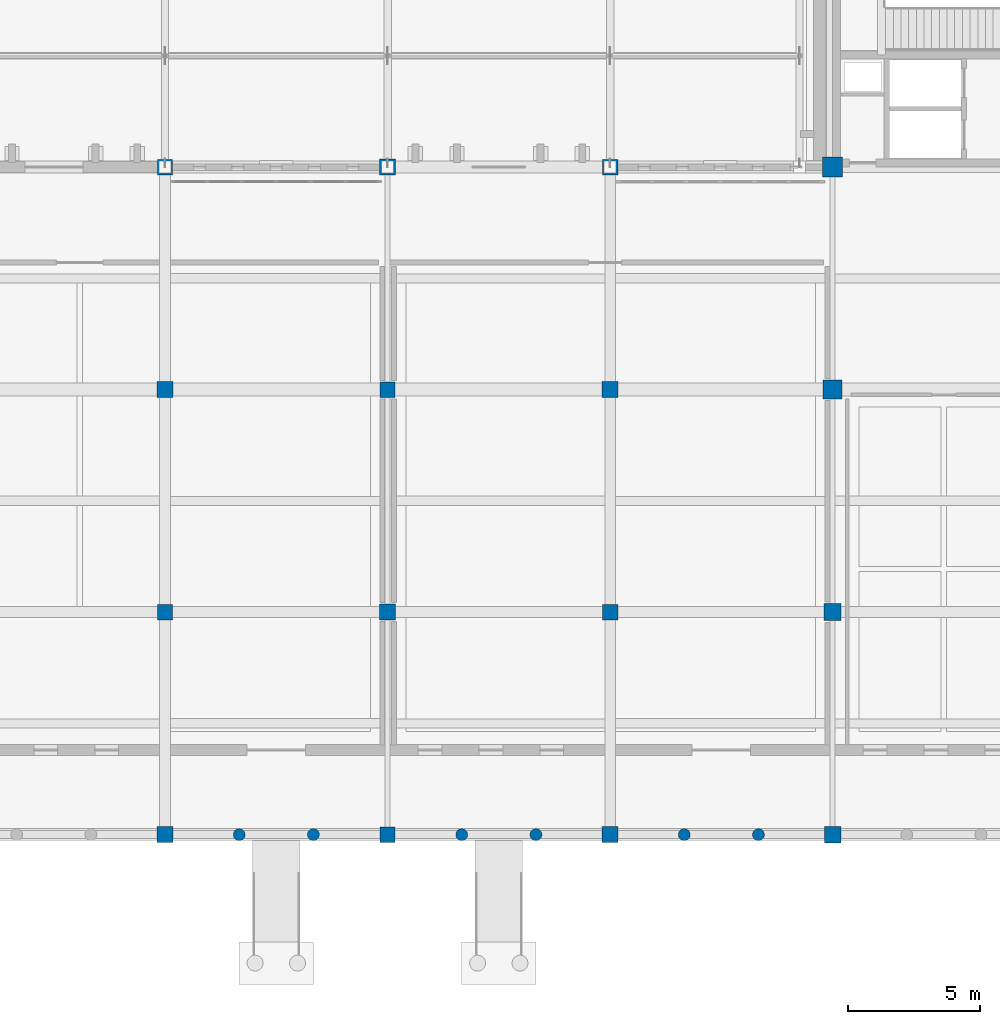
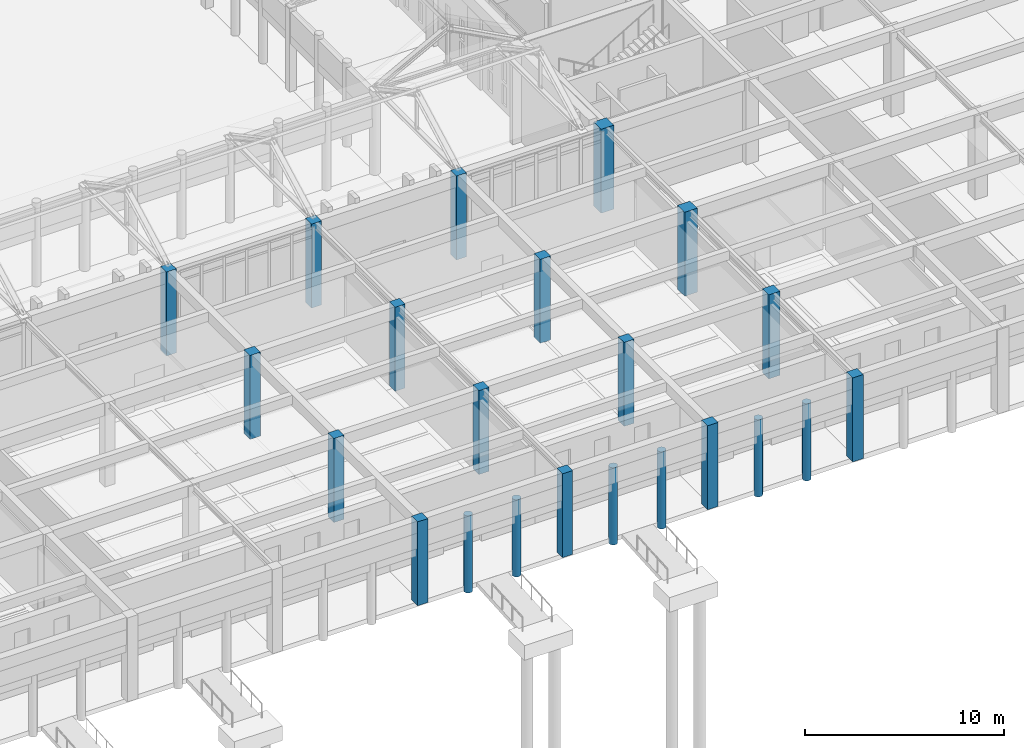
# One storey, part 13 of 143: 22 columns.
"""IFC4 building model written with IfcOpenShell, lengths in metres."""

from ifc_helpers import new_model, si_unit, direction, frame, origin, origin_2d, place, context, subcontext, project, spatial, rectangle, circle, extrude, material, material_profile, profile_set, type_object, element, save


model = new_model("IFC4")

# Units and contexts
model_context = context("Model", 3, precision=1e-05, world=origin(), true_north=direction((0.0, 1.0)))
body_context = subcontext(model_context, "Body", "Model", "MODEL_VIEW")
ifc_project = project(units=[si_unit("LENGTHUNIT", "METRE"), si_unit("AREAUNIT", "SQUARE_METRE"), si_unit("VOLUMEUNIT", "CUBIC_METRE"), si_unit("PLANEANGLEUNIT", "RADIAN"), si_unit("MASSUNIT", "GRAM", prefix="KILO")], contexts=[model_context])

# Site, building, storey
site_placement = place(None, origin())
site = spatial("IfcSite", under=ifc_project, at=site_placement, CompositionType="ELEMENT")
building_placement = place(site_placement, origin())
building = spatial("IfcBuilding", under=site, at=building_placement, Name="Kveldsbrygga Polytechnic", CompositionType="ELEMENT")
storey_placement = place(building_placement, origin())
storey = spatial("IfcBuildingStorey", under=building, at=storey_placement, Name="L00", CompositionType="ELEMENT", Elevation=0.0)

# Columns
ifc_material = material(Name="Concrete C45/55", Category="concrete")
ifc_material_profile_1 = material_profile(ifc_material, circle(Radius=0.22509765625, at=origin_2d()), Name="RC D450")
ifc_profile_set_1 = profile_set([ifc_material_profile_1], Name="Concrete C45/55")
column_type_1 = type_object("IfcColumnType", Name="COL-ARC-D450", PredefinedType="COLUMN", material=ifc_profile_set_1)
for number, where, z_axis, x_axis, name in (
    (1, (103.60009765625, 0.0, -0.320068359375), (0.0, 0.0, 1.0), (1.0, 0.0, 0.0), "Cloister Arcade Pier COL-ARC-025"),
    (2, (106.39990234375, 0.0, -0.320068359375), (0.0, 0.0, 1.0), (1.0, 0.0, 0.0), "Cloister Arcade Pier COL-ARC-026"),
    (3, (112.0, 0.0, -0.320068359375), (0.0, 0.0, 1.0), (1.0, 0.0, 0.0), "Cloister Arcade Pier COL-ARC-027"),
    (4, (114.800048828125, 0.0, -0.320068359375), (0.0, 0.0, 1.0), (1.0, 0.0, 0.0), "Cloister Arcade Pier COL-ARC-028"),
    (5, (120.39990234375, 0.0, -0.320068359375), (0.0, 0.0, 1.0), (1.0, 0.0, 0.0), "Cloister Arcade Pier COL-ARC-029"),
    (6, (123.199951171875, 0.0, -0.320068359375), (0.0, 0.0, 1.0), (1.0, 0.0, 0.0), "Cloister Arcade Pier COL-ARC-030"),
):
    element("IfcColumn", number, at=place(storey_placement, frame(where, z_axis=z_axis, x_axis=x_axis)), inside=storey, type_object=column_type_1, Name=name, PredefinedType="COLUMN", context=body_context, shape_type="SweptSolid", body=[
        extrude(circle(Radius=0.22509765625, at=origin_2d()), origin(), (0.0, 0.0, 1.0), 4.719970703125),
    ])
ifc_material_profile_2 = material_profile(ifc_material, rectangle(XDim=0.580078125, YDim=0.580078125, at=origin_2d()), Name="RC 580x580")
ifc_profile_set_2 = profile_set([ifc_material_profile_2], Name="Concrete C45/55")
column_type_2 = type_object("IfcColumnType", Name="COL-RC-580", PredefinedType="COLUMN", material=ifc_profile_set_2)
for number, where, z_axis, x_axis, name in (
    (7, (100.800048828125, 8.39990234375, 0.0), (0.0, 0.0, 1.0), (1.0, 0.0, 0.0), "Column COL-L00-12-01"),
    (8, (100.800048828125, 25.199951171875, 0.0), (0.0, 0.0, 1.0), (1.0, 0.0, 0.0), "Column COL-L00-12-03"),
    (9, (109.199951171875, 0.0, 0.0), (0.0, 0.0, 1.0), (1.0, 0.0, 0.0), "Column COL-L00-13-00"),
    (10, (109.199951171875, 16.800048828125, 0.0), (0.0, 0.0, 1.0), (1.0, 0.0, 0.0), "Column COL-L00-13-02"),
    (11, (117.60009765625, 8.39990234375, 0.0), (0.0, 0.0, 1.0), (1.0, 0.0, 0.0), "Column COL-L00-14-01"),
    (12, (117.60009765625, 25.199951171875, 0.0), (0.0, 0.0, 1.0), (1.0, 0.0, 0.0), "Column COL-L00-14-03"),
):
    element("IfcColumn", number, at=place(storey_placement, frame(where, z_axis=z_axis, x_axis=x_axis)), inside=storey, type_object=column_type_2, Name=name, PredefinedType="COLUMN", context=body_context, shape_type="SweptSolid", body=[
        extrude(rectangle(XDim=0.580078125, YDim=0.580078125, at=origin_2d()), origin(), (0.0, 0.0, 1.0), 5.139892578125),
    ])
ifc_material_profile_3 = material_profile(ifc_material, rectangle(XDim=0.60009765625, YDim=0.60009765625, at=origin_2d()), Name="RC 600x600")
ifc_profile_set_3 = profile_set([ifc_material_profile_3], Name="Concrete C45/55")
column_type_3 = type_object("IfcColumnType", Name="COL-RC-600", PredefinedType="COLUMN", material=ifc_profile_set_3)
for number, where, z_axis, x_axis, name in (
    (13, (100.800048828125, 0.0, 0.0), (0.0, 0.0, 1.0), (1.0, 0.0, 0.0), "Column COL-L00-12-00"),
    (14, (100.800048828125, 16.800048828125, 0.0), (0.0, 0.0, 1.0), (1.0, 0.0, 0.0), "Column COL-L00-12-02"),
    (15, (109.199951171875, 8.39990234375, 0.0), (0.0, 0.0, 1.0), (1.0, 0.0, 0.0), "Column COL-L00-13-01"),
    (16, (109.199951171875, 25.199951171875, 0.0), (0.0, 0.0, 1.0), (1.0, 0.0, 0.0), "Column COL-L00-13-03"),
    (17, (117.60009765625, 0.0, 0.0), (0.0, 0.0, 1.0), (1.0, 0.0, 0.0), "Column COL-L00-14-00"),
    (18, (117.60009765625, 16.800048828125, 0.0), (0.0, 0.0, 1.0), (1.0, 0.0, 0.0), "Column COL-L00-14-02"),
):
    element("IfcColumn", number, at=place(storey_placement, frame(where, z_axis=z_axis, x_axis=x_axis)), inside=storey, type_object=column_type_3, Name=name, PredefinedType="COLUMN", context=body_context, shape_type="SweptSolid", body=[
        extrude(rectangle(XDim=0.60009765625, YDim=0.60009765625, at=origin_2d()), origin(), (0.0, 0.0, 1.0), 5.139892578125),
    ])
ifc_material_profile_4 = material_profile(ifc_material, rectangle(XDim=0.6201171875, YDim=0.6201171875, at=origin_2d()), Name="RC 620x620")
ifc_profile_set_4 = profile_set([ifc_material_profile_4], Name="Concrete C45/55")
column_type_4 = type_object("IfcColumnType", Name="COL-RC-620", PredefinedType="COLUMN", material=ifc_profile_set_4)
column_1_placement = place(storey_placement, frame((126.0, 0.0, 0.0), z_axis=(0.0, 0.0, 1.0), x_axis=(1.0, 0.0, 0.0)))
element("IfcColumn", 19, at=column_1_placement, inside=storey, type_object=column_type_4, Name="Column COL-L00-15-00", PredefinedType="COLUMN", context=body_context, shape_type="SweptSolid", body=[
    extrude(rectangle(XDim=0.6201171875, YDim=0.6201171875, at=origin_2d()), origin(), (0.0, 0.0, 1.0), 5.139892578125),
])
ifc_material_profile_5 = material_profile(ifc_material, rectangle(XDim=0.64990234375, YDim=0.64990234375, at=origin_2d()), Name="RC 650x650")
ifc_profile_set_5 = profile_set([ifc_material_profile_5], Name="Concrete C45/55")
column_type_5 = type_object("IfcColumnType", Name="COL-RC-650", PredefinedType="COLUMN", material=ifc_profile_set_5)
column_2_placement = place(storey_placement, frame((126.0, 8.39990234375, 0.0), z_axis=(0.0, 0.0, 1.0), x_axis=(1.0, 0.0, 0.0)))
element("IfcColumn", 20, at=column_2_placement, inside=storey, type_object=column_type_5, Name="Column COL-L00-15-01", PredefinedType="COLUMN", context=body_context, shape_type="SweptSolid", body=[
    extrude(rectangle(XDim=0.64990234375, YDim=0.64990234375, at=origin_2d()), origin(), (0.0, 0.0, 1.0), 5.139892578125),
])
ifc_material_profile_6 = material_profile(ifc_material, rectangle(XDim=0.719970703125, YDim=0.719970703125, at=origin_2d()), Name="RC 720x720")
ifc_profile_set_6 = profile_set([ifc_material_profile_6], Name="Concrete C45/55")
column_type_6 = type_object("IfcColumnType", Name="COL-RC-720", PredefinedType="COLUMN", material=ifc_profile_set_6)
column_3_placement = place(storey_placement, frame((126.0, 16.800048828125, 0.0), z_axis=(0.0, 0.0, 1.0), x_axis=(1.0, 0.0, 0.0)))
element("IfcColumn", 21, at=column_3_placement, inside=storey, type_object=column_type_6, Name="Column COL-L00-15-02", PredefinedType="COLUMN", context=body_context, shape_type="SweptSolid", body=[
    extrude(rectangle(XDim=0.719970703125, YDim=0.719970703125, at=origin_2d()), origin(), (0.0, 0.0, 1.0), 5.139892578125),
])
ifc_material_profile_7 = material_profile(ifc_material, rectangle(XDim=0.75, YDim=0.75, at=origin_2d()), Name="RC 750x750")
ifc_profile_set_7 = profile_set([ifc_material_profile_7], Name="Concrete C45/55")
column_type_7 = type_object("IfcColumnType", Name="COL-RC-750", PredefinedType="COLUMN", material=ifc_profile_set_7)
column_4_placement = place(storey_placement, frame((126.0, 25.199951171875, 0.0), z_axis=(0.0, 0.0, 1.0), x_axis=(1.0, 0.0, 0.0)))
element("IfcColumn", 22, at=column_4_placement, inside=storey, type_object=column_type_7, Name="Column COL-L00-15-03", PredefinedType="COLUMN", context=body_context, shape_type="SweptSolid", body=[
    extrude(rectangle(XDim=0.75, YDim=0.75, at=origin_2d()), origin(), (0.0, 0.0, 1.0), 5.139892578125),
])

save(model, "model.ifc")
